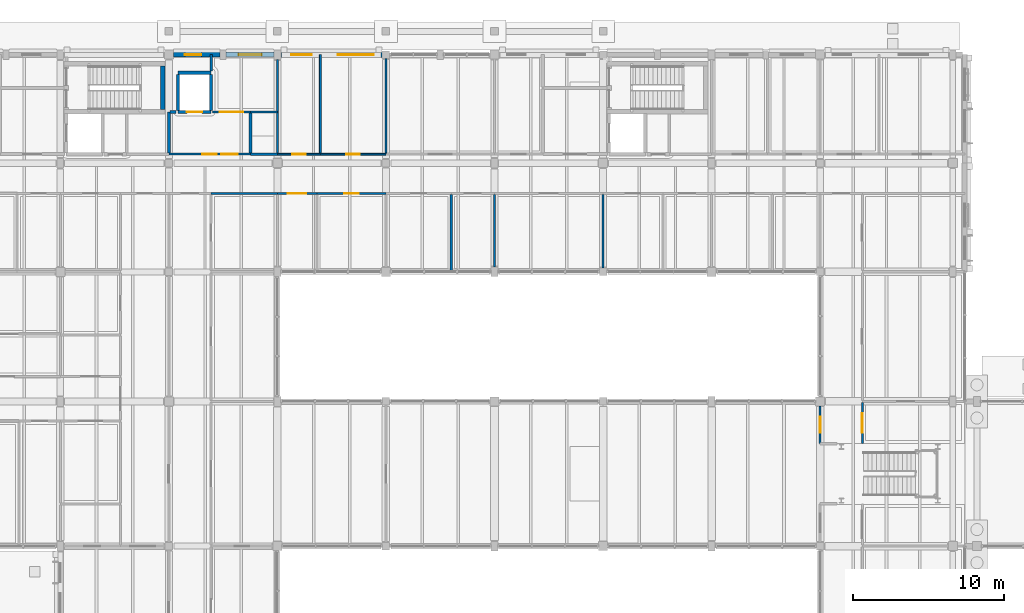
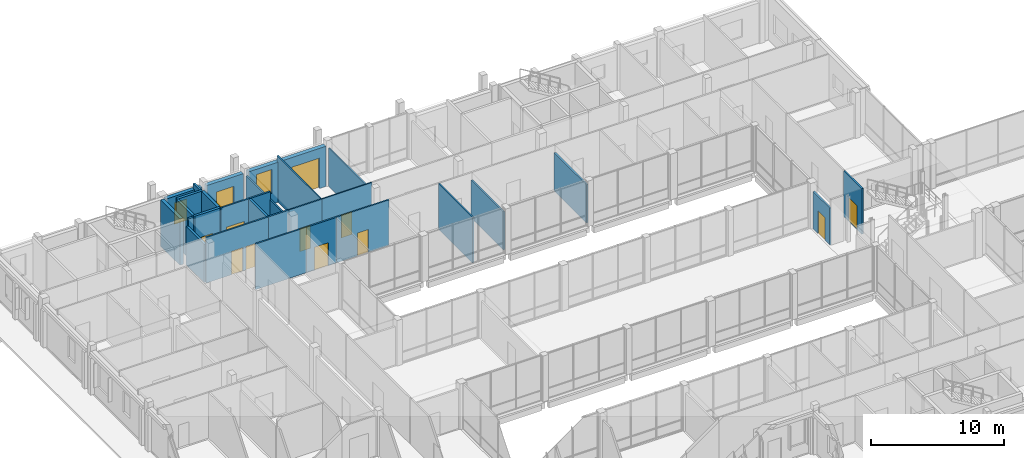
# One storey, part 75 of 104: 30 walls, 11 doors, 3 windows, 14 openings.
"""IFC4 building model written with IfcOpenShell, lengths in metres."""

import ifcopenshell
import ifcopenshell.guid

model = None  # the IFC model being written
_history = None  # IfcOwnerHistory: only IFC2X3 demands one
_inside = {}  # id of a spatial element -> (the spatial element, [elements in it])
_under = {}  # id of a project, library or spatial element -> (it, [spatial elements below it])
_declared = {}  # id of a project -> (the project, [libraries it declares])
_typed = {}  # id of a type object -> (the type object, [elements of that type])
_made_of = {}  # id of a material, layer set ... -> (it, [elements and type objects made of it])


def new_model(schema):
    """Start an empty IFC model of exactly this schema.

    Asked for "IFC4X3", IfcOpenShell would pick the latest addendum, in which some entities
    have other attributes; the version numbers below select the first issue.
    IFC2X3 requires an IfcOwnerHistory on every rooted entity: one is made here for all.
    """
    global model, _history
    if schema == "IFC4X3":
        model = ifcopenshell.file(schema_version=(4, 3, 0, 0))
    else:
        model = ifcopenshell.file(schema=schema)
    _inside.clear()
    _under.clear()
    _declared.clear()
    _typed.clear()
    _made_of.clear()
    _history = None
    if model.schema == "IFC2X3":
        org = make("IfcOrganization", Name="unknown")
        user = make(
            "IfcPersonAndOrganization",
            ThePerson=make("IfcPerson", FamilyName="unknown"),
            TheOrganization=org,
        )
        app = make(
            "IfcApplication",
            ApplicationDeveloper=org,
            Version="unknown",
            ApplicationFullName="unknown",
            ApplicationIdentifier="unknown",
        )
        _history = make(
            "IfcOwnerHistory",
            OwningUser=user,
            OwningApplication=app,
            ChangeAction="ADDED",
            CreationDate=0,
        )
    return model


def make(cls, **values):
    """One entity of the class cls with the attributes given. An attribute that is None is left unset."""
    return model.create_entity(
        cls, **{name: value for name, value in values.items() if value is not None}
    )


def rooted(cls, **values):
    """An entity with a GlobalId (a new one), such as an element, a storey or a relation."""
    return make(cls, GlobalId=ifcopenshell.guid.new(), OwnerHistory=_history, **values)


def si_unit(unit_type, name, prefix=None):
    """IfcSIUnit, for example si_unit("LENGTHUNIT", "METRE", prefix="MILLI")."""
    return make("IfcSIUnit", UnitType=unit_type, Prefix=prefix, Name=name)


def assignment(units):
    """IfcUnitAssignment: the units of a project."""
    return None if units is None else make("IfcUnitAssignment", Units=units)


def point(xyz):
    """IfcCartesianPoint."""
    return None if xyz is None else make("IfcCartesianPoint", Coordinates=xyz)


def direction(xyz):
    """IfcDirection."""
    return None if xyz is None else make("IfcDirection", DirectionRatios=xyz)


def frame(location, z_axis=None, x_axis=None):
    """IfcAxis2Placement3D, a coordinate frame: its origin and axes. An axis left out is left unset."""
    return make(
        "IfcAxis2Placement3D",
        Location=point(location),
        Axis=direction(z_axis),
        RefDirection=direction(x_axis),
    )


def frame_2d(location, x_axis=None):
    """IfcAxis2Placement2D, a coordinate frame in the plane: its origin and x axis."""
    return make(
        "IfcAxis2Placement2D", Location=point(location), RefDirection=direction(x_axis)
    )


def origin():
    """The frame at (0, 0, 0) with its axes left unset."""
    return frame((0.0, 0.0, 0.0))


def place(relative_to, where):
    """IfcLocalPlacement: puts the frame where relative to a parent placement (None: the world)."""
    return make(
        "IfcLocalPlacement", PlacementRelTo=relative_to, RelativePlacement=where
    )


def context(
    kind, dimensions, precision=None, world=None, true_north=None, identifier=None
):
    """IfcGeometricRepresentationContext, for example the 3D "Model" context."""
    return make(
        "IfcGeometricRepresentationContext",
        ContextIdentifier=identifier,
        ContextType=kind,
        CoordinateSpaceDimension=dimensions,
        Precision=precision,
        WorldCoordinateSystem=world,
        TrueNorth=true_north,
    )


def subcontext(parent, identifier, kind, view, scale=None):
    """IfcGeometricRepresentationSubContext, for example "Body" below "Model"."""
    return make(
        "IfcGeometricRepresentationSubContext",
        ContextIdentifier=identifier,
        ContextType=kind,
        ParentContext=parent,
        TargetScale=scale,
        TargetView=view,
    )


def project(units=None, contexts=None):
    """IfcProject with its units and contexts."""
    return rooted(
        "IfcProject",
        Name="project",
        RepresentationContexts=contexts,
        UnitsInContext=assignment(units),
    )


def spatial(cls, under=None, at=None, **own):
    """A site, building, storey or space (cls), placed at a placement, below another one or the project."""
    s = rooted(cls, ObjectPlacement=at, **own)
    if under is not None:
        _under.setdefault(under.id(), (under, []))[1].append(s)
    return s


def profile(cls, at=None, kind="AREA", **sizes):
    """A parametric profile (cls). Its sizes go by their IFC names, for example OverallWidth=200.0."""
    return make(cls, ProfileType=kind, Position=at, **sizes)


def rectangle(**sizes):
    """IfcRectangleProfileDef."""
    return profile("IfcRectangleProfileDef", **sizes)


def extrude(swept, where, along, depth):
    """IfcExtrudedAreaSolid: the profile swept, set in the frame where, extruded along a direction by depth."""
    return make(
        "IfcExtrudedAreaSolid",
        SweptArea=swept,
        Position=where,
        ExtrudedDirection=direction(along),
        Depth=depth,
    )


def shape(context_of_items, identifier, shape_type, items):
    """IfcShapeRepresentation: the items that make up one representation, for example the "Body"."""
    return make(
        "IfcShapeRepresentation",
        ContextOfItems=context_of_items,
        RepresentationIdentifier=identifier,
        RepresentationType=shape_type,
        Items=items,
    )


def material(Name=None, Category=None):
    """IfcMaterial."""
    return make("IfcMaterial", Name=Name, Category=Category)


def layer(
    of_material, thickness, ventilated=None, Name=None, Category=None, Priority=None
):
    """IfcMaterialLayer: one layer of a wall or slab, of a material (None: an air gap)."""
    return make(
        "IfcMaterialLayer",
        Material=of_material,
        LayerThickness=thickness,
        IsVentilated=ventilated,
        Name=Name,
        Category=Category,
        Priority=Priority,
    )


def layer_set(layers, Name=None):
    """IfcMaterialLayerSet."""
    return make("IfcMaterialLayerSet", MaterialLayers=layers, LayerSetName=Name)


def made_of(thing, what):
    """Note that an element or type object is made of a material, layer set ...; save() writes the relation."""
    if what is not None:
        _made_of.setdefault(what.id(), (what, []))[1].append(thing)
    return thing


def type_object(cls, material=None, **own):
    """A type object (cls), such as IfcWallType, which elements share."""
    return made_of(rooted(cls, **own), material)


def element(
    cls,
    number,
    at=None,
    inside=None,
    cuts=None,
    type_object=None,
    material=None,
    context=None,
    identifier="Body",
    shape_type=None,
    held_by="IfcProductDefinitionShape",
    body=None,
    shapes=None,
    **own,
):
    """One element of the class cls, such as IfcWall. Its Tag is "e" and its number.

    at: its placement. inside: the storey or other place that contains it. cuts: it is an
    opening in that element (IfcRelVoidsElement). A single representation is given by context,
    identifier, shape_type and body (its items); several are given by shapes. held_by: the class
    of the entity that holds the representations. save() writes the other relations.
    """
    e = rooted(cls, Tag="e%d" % number, ObjectPlacement=at, **own)
    if body is not None:
        shapes = [shape(context, identifier, shape_type, body)]
    if shapes is not None:
        e.Representation = make(held_by, Representations=shapes)
    if inside is not None:
        _inside.setdefault(inside.id(), (inside, []))[1].append(e)
    if cuts is not None:
        rooted(
            "IfcRelVoidsElement", RelatingBuildingElement=cuts, RelatedOpeningElement=e
        )
    if type_object is not None:
        _typed.setdefault(type_object.id(), (type_object, []))[1].append(e)
    return made_of(e, material)


def fill(opening, filler):
    """IfcRelFillsElement: the door or window that sits in an opening."""
    return rooted(
        "IfcRelFillsElement",
        RelatingOpeningElement=opening,
        RelatedBuildingElement=filler,
    )


def aggregate(whole, parts):
    """IfcRelAggregates: a whole, such as a stair, and the parts it consists of."""
    return rooted("IfcRelAggregates", RelatingObject=whole, RelatedObjects=parts)


def save(model, path):
    """Write the relations noted so far, then the file.

    IfcRelAggregates (storeys below a building ...), IfcRelContainedInSpatialStructure (elements
    in a storey), IfcRelDefinesByType, IfcRelAssociatesMaterial and IfcRelDeclares: one each for
    every whole, place, type object, material and project.
    """
    for whole, parts in _under.values():
        aggregate(whole, parts)
    for where, things in _inside.values():
        rooted(
            "IfcRelContainedInSpatialStructure",
            RelatedElements=things,
            RelatingStructure=where,
        )
    for kind, things in _typed.values():
        rooted("IfcRelDefinesByType", RelatedObjects=things, RelatingType=kind)
    for what, things in _made_of.values():
        rooted("IfcRelAssociatesMaterial", RelatedObjects=things, RelatingMaterial=what)
    for by, libraries in _declared.values():
        rooted("IfcRelDeclares", RelatingContext=by, RelatedDefinitions=libraries)
    model.write(path)


model = new_model("IFC4")

# Units and contexts
model_context = context("Model", 3, precision=1e-05, world=origin(), true_north=direction((0.0, 1.0)))
body_context = subcontext(model_context, "Body", "Model", "MODEL_VIEW")
ifc_project = project(units=[si_unit("LENGTHUNIT", "METRE"), si_unit("AREAUNIT", "SQUARE_METRE"), si_unit("VOLUMEUNIT", "CUBIC_METRE"), si_unit("PLANEANGLEUNIT", "RADIAN"), si_unit("MASSUNIT", "GRAM", prefix="KILO")], contexts=[model_context])

# Site, building, storey
site_placement = place(None, origin())
site = spatial("IfcSite", under=ifc_project, at=site_placement, CompositionType="ELEMENT")
building_placement = place(site_placement, origin())
building = spatial("IfcBuilding", under=site, at=building_placement, Name="Hawrajan Terrace Health Centre", CompositionType="ELEMENT")
storey_placement = place(building_placement, origin())
storey = spatial("IfcBuildingStorey", under=building, at=storey_placement, Name="L00", CompositionType="ELEMENT", Elevation=0.0)

# Wall, openings, doors
ifc_material_1 = material(Name="Gypsum board on acoustic stud framing")
ifc_layer_1 = layer(ifc_material_1, 0.139892578125)
ifc_layer_set_1 = layer_set([ifc_layer_1], Name="Gypsum board on acoustic stud framing")
wall_type_1 = type_object("IfcWallType", Name="ClinicalAcousticWall_140", PredefinedType="PARTITIONING", material=ifc_layer_set_1)
wall_1_placement = place(storey_placement, frame((19.0, 53.199951171875, 0.0), z_axis=(0.0, 0.0, 1.0), x_axis=(1.0, 0.0, 0.0)))
wall_1 = element("IfcWall", 1, at=wall_1_placement, inside=storey, type_object=wall_type_1, Name="Interior wall IW-L00-0257", PredefinedType="PARTITIONING", context=body_context, shape_type="SweptSolid", body=[
    extrude(rectangle(XDim=5.39990234375, YDim=0.139892578125, at=frame_2d((2.699951171875, 0.0))), origin(), (0.0, 0.0, 1.0), 4.179931640625),
])
opening_1_placement = place(wall_1_placement, frame((2.2099609375, 0.0, 0.0)))
opening_1 = element("IfcOpeningElement", 2, at=opening_1_placement, cuts=wall_1, Name="Opening D-L00-107", PredefinedType="OPENING", context=body_context, shape_type="SweptSolid", body=[
    extrude(rectangle(XDim=0.97998046875, YDim=2.14990234375, at=frame_2d((0.489990234375, 1.074951171875))), frame((0.0, 0.079833984375, 0.0), z_axis=(0.0, -1.0, 0.0), x_axis=(1.0, 0.0, 0.0)), (0.0, 0.0, 1.0), 0.159912109375),
])
opening_2_placement = place(wall_1_placement, frame((3.4599609375, 0.0, 0.0)))
opening_2 = element("IfcOpeningElement", 3, at=opening_2_placement, cuts=wall_1, Name="Opening D-L00-108", PredefinedType="OPENING", context=body_context, shape_type="SweptSolid", body=[
    extrude(rectangle(XDim=1.1201171875, YDim=2.14990234375, at=frame_2d((0.56005859375, 1.074951171875))), frame((0.0, 0.079833984375, 0.0), z_axis=(0.0, -1.0, 0.0), x_axis=(1.0, 0.0, 0.0)), (0.0, 0.0, 1.0), 0.159912109375),
])
ifc_material_2 = material(Name="Hardwood acoustic clinical door leaf and frame", Category="wood")
door_type_1 = type_object("IfcDoorType", Name="ConsultDoor_980x2150", OperationType="NOTDEFINED", PredefinedType="DOOR", material=ifc_material_2)
door_1_placement = place(opening_1_placement, origin())
door_1 = element("IfcDoor", 4, at=door_1_placement, inside=storey, type_object=door_type_1, Name="Interior door D-L00-107", OperationType="SINGLE_SWING_LEFT", OverallHeight=2.14990234375, OverallWidth=0.97998046875, PredefinedType="DOOR", context=body_context, shape_type="SweptSolid", body=[
    extrude(rectangle(XDim=0.97998046875, YDim=2.14990234375, at=frame_2d((0.489990234375, 1.074951171875))), frame((0.0, 0.02490234375, 0.0), z_axis=(0.0, -1.0, 0.0), x_axis=(1.0, 0.0, 0.0)), (0.0, 0.0, 1.0), 0.050048828125),
])
fill(opening_1, door_1)
door_type_2 = type_object("IfcDoorType", Name="DentalSurgeryDoor_1120x2150", OperationType="NOTDEFINED", PredefinedType="DOOR", material=ifc_material_2)
door_2_placement = place(opening_2_placement, origin())
door_2 = element("IfcDoor", 5, at=door_2_placement, inside=storey, type_object=door_type_2, Name="Interior door D-L00-108", OperationType="SINGLE_SWING_RIGHT", OverallHeight=2.14990234375, OverallWidth=1.1201171875, PredefinedType="DOOR", context=body_context, shape_type="SweptSolid", body=[
    extrude(rectangle(XDim=1.1201171875, YDim=2.14990234375, at=frame_2d((0.56005859375, 1.074951171875))), frame((0.0, 0.02490234375, 0.0), z_axis=(0.0, -1.0, 0.0), x_axis=(1.0, 0.0, 0.0)), (0.0, 0.0, 1.0), 0.050048828125),
])
fill(opening_2, door_2)

# Wall
wall_2_placement = place(storey_placement, frame((21.800048828125, 50.60009765625, 0.0), z_axis=(0.0, 0.0, 1.0), x_axis=(1.0, 0.0, 0.0)))
element("IfcWall", 6, at=wall_2_placement, inside=storey, type_object=wall_type_1, Name="Interior wall IW-L00-0268", PredefinedType="PARTITIONING", context=body_context, shape_type="SweptSolid", body=[
    extrude(rectangle(XDim=4.39990234375, YDim=0.139892578125, at=frame_2d((2.199951171875, 0.0))), origin(), (0.0, 0.0, 1.0), 4.179931640625),
])

# Wall, opening, door
wall_3_placement = place(storey_placement, frame((21.909912109375, 56.0, 0.0), z_axis=(0.0, 0.0, 1.0), x_axis=(1.0, 0.0, 0.0)))
wall_3 = element("IfcWall", 7, at=wall_3_placement, inside=storey, type_object=wall_type_1, Name="Interior wall IW-L00-0269", PredefinedType="PARTITIONING", context=body_context, shape_type="SweptSolid", body=[
    extrude(rectangle(XDim=2.489990234375, YDim=0.139892578125, at=frame_2d((1.2451171875, 0.0))), origin(), (0.0, 0.0, 1.0), 4.179931640625),
])
opening_3_placement = place(wall_3_placement, frame((0.47509765625, 0.0, 0.0)))
opening_3 = element("IfcOpeningElement", 8, at=opening_3_placement, cuts=wall_3, Name="Opening D-L00-166", PredefinedType="OPENING", context=body_context, shape_type="SweptSolid", body=[
    extrude(rectangle(XDim=1.5400390625, YDim=2.25, at=frame_2d((0.77001953125, 1.125))), frame((0.0, 0.079833984375, 0.0), z_axis=(0.0, -1.0, 0.0), x_axis=(1.0, 0.0, 0.0)), (0.0, 0.0, 1.0), 0.159912109375),
])
door_type_3 = type_object("IfcDoorType", Name="RecoveryBayDoor_1540x2250", OperationType="DOUBLE_DOOR_SINGLE_SWING", PredefinedType="DOOR", material=ifc_material_2)
door_3_placement = place(opening_3_placement, origin())
door_3 = element("IfcDoor", 9, at=door_3_placement, inside=storey, type_object=door_type_3, Name="Interior door D-L00-166", OperationType="DOUBLE_DOOR_SINGLE_SWING", OverallHeight=2.25, OverallWidth=1.5400390625, PredefinedType="DOOR", context=body_context, shape_type="SweptSolid", body=[
    extrude(rectangle(XDim=1.5400390625, YDim=2.25, at=frame_2d((0.77001953125, 1.125))), frame((0.0, 0.02490234375, 0.0), z_axis=(0.0, -1.0, 0.0), x_axis=(1.0, 0.0, 0.0)), (0.0, 0.0, 1.0), 0.050048828125),
])
fill(opening_3, door_3)

wall_4_placement = place(storey_placement, frame((26.199951171875, 50.60009765625, 0.0), z_axis=(0.0, 0.0, 1.0), x_axis=(1.0, 0.0, 0.0)))
wall_4 = element("IfcWall", 10, at=wall_4_placement, inside=storey, type_object=wall_type_1, Name="Interior wall IW-L00-0275", PredefinedType="PARTITIONING", context=body_context, shape_type="SweptSolid", body=[
    extrude(rectangle(XDim=2.62109375, YDim=0.139892578125, at=frame_2d((1.310546875, 0.0))), origin(), (0.0, 0.0, 1.0), 4.179931640625),
])
opening_4_placement = place(wall_4_placement, frame((0.700439453125, 0.0, 0.0)))
opening_4 = element("IfcOpeningElement", 11, at=opening_4_placement, cuts=wall_4, Name="Opening D-L00-167", PredefinedType="OPENING", context=body_context, shape_type="SweptSolid", body=[
    extrude(rectangle(XDim=1.219970703125, YDim=2.10009765625, at=frame_2d((0.60986328125, 1.050048828125))), frame((0.0, 0.079833984375, 0.0), z_axis=(0.0, -1.0, 0.0), x_axis=(1.0, 0.0, 0.0)), (0.0, 0.0, 1.0), 0.159912109375),
])
door_type_4 = type_object("IfcDoorType", Name="ConsultDoor_1220x2100", OperationType="NOTDEFINED", PredefinedType="DOOR", material=ifc_material_2)
door_4_placement = place(opening_4_placement, origin())
door_4 = element("IfcDoor", 12, at=door_4_placement, inside=storey, type_object=door_type_4, Name="Interior door D-L00-167", OperationType="SINGLE_SWING_LEFT", OverallHeight=2.10009765625, OverallWidth=1.219970703125, PredefinedType="DOOR", context=body_context, shape_type="SweptSolid", body=[
    extrude(rectangle(XDim=1.219970703125, YDim=2.10009765625, at=frame_2d((0.60986328125, 1.050048828125))), frame((0.0, 0.02490234375, 0.0), z_axis=(0.0, -1.0, 0.0), x_axis=(1.0, 0.0, 0.0)), (0.0, 0.0, 1.0), 0.050048828125),
])
fill(opening_4, door_4)

wall_5_placement = place(storey_placement, frame((28.821044921875, 50.60009765625, 0.0), z_axis=(0.0, 0.0, 1.0), x_axis=(1.0, 0.0, 0.0)))
wall_5 = element("IfcWall", 13, at=wall_5_placement, inside=storey, type_object=wall_type_1, Name="Interior wall IW-L00-0279", PredefinedType="PARTITIONING", context=body_context, shape_type="SweptSolid", body=[
    extrude(rectangle(XDim=4.578857421875, YDim=0.139892578125, at=frame_2d((2.28955078125, 0.0))), origin(), (0.0, 0.0, 1.0), 4.179931640625),
])
opening_5_placement = place(wall_5_placement, frame((1.814453125, 0.0, 0.0)))
opening_5 = element("IfcOpeningElement", 14, at=opening_5_placement, cuts=wall_5, Name="Opening D-L00-168", PredefinedType="OPENING", context=body_context, shape_type="SweptSolid", body=[
    extrude(rectangle(XDim=0.949951171875, YDim=2.10009765625, at=frame_2d((0.47509765625, 1.050048828125))), frame((0.0, 0.079833984375, 0.0), z_axis=(0.0, -1.0, 0.0), x_axis=(1.0, 0.0, 0.0)), (0.0, 0.0, 1.0), 0.159912109375),
])
door_type_5 = type_object("IfcDoorType", Name="AccessibleWCDoor_950x2100", OperationType="NOTDEFINED", PredefinedType="DOOR", material=ifc_material_2)
door_5_placement = place(opening_5_placement, origin())
door_5 = element("IfcDoor", 15, at=door_5_placement, inside=storey, type_object=door_type_5, Name="Interior door D-L00-168", OperationType="SINGLE_SWING_RIGHT", OverallHeight=2.10009765625, OverallWidth=0.949951171875, PredefinedType="DOOR", context=body_context, shape_type="SweptSolid", body=[
    extrude(rectangle(XDim=0.949951171875, YDim=2.10009765625, at=frame_2d((0.47509765625, 1.050048828125))), frame((0.0, 0.02490234375, 0.0), z_axis=(0.0, -1.0, 0.0), x_axis=(1.0, 0.0, 0.0)), (0.0, 0.0, 1.0), 0.050048828125),
])
fill(opening_5, door_5)

# Walls
wall_6_placement = place(storey_placement, frame((37.73388671875, 45.39990234375, 0.0), z_axis=(0.0, 0.0, 1.0), x_axis=(0.0, 1.0, 0.0)))
element("IfcWall", 16, at=wall_6_placement, inside=storey, type_object=wall_type_1, Name="Interior wall IW-L00-0295", PredefinedType="PARTITIONING", context=body_context, shape_type="SweptSolid", body=[
    extrude(rectangle(XDim=5.130126953125, YDim=0.139892578125, at=frame_2d((2.56494140625, 0.0))), origin(), (0.0, 0.0, 1.0), 4.179931640625),
])
wall_7_placement = place(storey_placement, frame((40.60009765625, 45.72509765625, 0.0), z_axis=(0.0, 0.0, 1.0), x_axis=(0.0, 1.0, 0.0)))
element("IfcWall", 17, at=wall_7_placement, inside=storey, type_object=wall_type_1, Name="Interior wall IW-L00-0299", PredefinedType="PARTITIONING", context=body_context, shape_type="SweptSolid", body=[
    extrude(rectangle(XDim=4.804931640625, YDim=0.139892578125, at=frame_2d((2.40234375, 0.0))), origin(), (0.0, 0.0, 1.0), 3.5),
])
wall_8_placement = place(storey_placement, frame((47.800048828125, 45.64990234375, 0.0), z_axis=(0.0, 0.0, 1.0), x_axis=(0.0, 1.0, 0.0)))
element("IfcWall", 18, at=wall_8_placement, inside=storey, type_object=wall_type_1, Name="Interior wall IW-L00-0310", PredefinedType="PARTITIONING", context=body_context, shape_type="SweptSolid", body=[
    extrude(rectangle(XDim=4.880126953125, YDim=0.139892578125, at=frame_2d((2.43994140625, 0.0))), origin(), (0.0, 0.0, 1.0), 3.5),
])

# Wall, opening, door
wall_9_placement = place(storey_placement, frame((62.199951171875, 34.0, 0.0), z_axis=(0.0, 0.0, 1.0), x_axis=(0.0, 1.0, 0.0)))
wall_9 = element("IfcWall", 19, at=wall_9_placement, inside=storey, type_object=wall_type_1, Name="Interior wall IW-L00-0337", PredefinedType="PARTITIONING", context=body_context, shape_type="SweptSolid", body=[
    extrude(rectangle(XDim=2.5, YDim=0.139892578125, at=frame_2d((1.25, 0.0))), origin(), (0.0, 0.0, 1.0), 3.39990234375),
])
opening_6_placement = place(wall_9_placement, frame((0.72998046875, 0.0, 0.0)))
opening_6 = element("IfcOpeningElement", 20, at=opening_6_placement, cuts=wall_9, Name="Opening D-L00-131", PredefinedType="OPENING", context=body_context, shape_type="SweptSolid", body=[
    extrude(rectangle(XDim=1.0400390625, YDim=2.10009765625, at=frame_2d((0.52001953125, 1.050048828125))), frame((0.0, 0.079833984375, 0.0), z_axis=(0.0, -1.0, 0.0), x_axis=(1.0, 0.0, 0.0)), (0.0, 0.0, 1.0), 0.159912109375),
])
door_type_6 = type_object("IfcDoorType", Name="ConsultDoor_1040x2100", OperationType="NOTDEFINED", PredefinedType="DOOR", material=ifc_material_2)
door_6_placement = place(opening_6_placement, origin())
door_6 = element("IfcDoor", 21, at=door_6_placement, inside=storey, type_object=door_type_6, Name="Interior door D-L00-131", OperationType="SINGLE_SWING_LEFT", OverallHeight=2.10009765625, OverallWidth=1.0400390625, PredefinedType="DOOR", context=body_context, shape_type="SweptSolid", body=[
    extrude(rectangle(XDim=1.0400390625, YDim=2.10009765625, at=frame_2d((0.52001953125, 1.050048828125))), frame((0.0, 0.02490234375, 0.0), z_axis=(0.0, -1.0, 0.0), x_axis=(1.0, 0.0, 0.0)), (0.0, 0.0, 1.0), 0.050048828125),
])
fill(opening_6, door_6)

wall_10_placement = place(storey_placement, frame((65.0, 34.0, 0.0), z_axis=(0.0, 0.0, 1.0), x_axis=(0.0, 1.0, 0.0)))
wall_10 = element("IfcWall", 22, at=wall_10_placement, inside=storey, type_object=wall_type_1, Name="Interior wall IW-L00-0350", PredefinedType="PARTITIONING", context=body_context, shape_type="SweptSolid", body=[
    extrude(rectangle(XDim=2.72998046875, YDim=0.139892578125, at=frame_2d((1.364990234375, 0.0))), origin(), (0.0, 0.0, 1.0), 4.179931640625),
])
opening_7_placement = place(wall_10_placement, frame((0.72509765625, 0.0, 0.0)))
opening_7 = element("IfcOpeningElement", 23, at=opening_7_placement, cuts=wall_10, Name="Opening D-L00-132", PredefinedType="OPENING", context=body_context, shape_type="SweptSolid", body=[
    extrude(rectangle(XDim=1.280029296875, YDim=2.199951171875, at=frame_2d((0.64013671875, 1.10009765625))), frame((0.0, 0.079833984375, 0.0), z_axis=(0.0, -1.0, 0.0), x_axis=(1.0, 0.0, 0.0)), (0.0, 0.0, 1.0), 0.159912109375),
])
door_type_7 = type_object("IfcDoorType", Name="ExamSuiteDoor_1280x2200", OperationType="NOTDEFINED", PredefinedType="DOOR", material=ifc_material_2)
door_7_placement = place(opening_7_placement, origin())
door_7 = element("IfcDoor", 24, at=door_7_placement, inside=storey, type_object=door_type_7, Name="Interior door D-L00-132", OperationType="SINGLE_SWING_RIGHT", OverallHeight=2.199951171875, OverallWidth=1.280029296875, PredefinedType="DOOR", context=body_context, shape_type="SweptSolid", body=[
    extrude(rectangle(XDim=1.280029296875, YDim=2.199951171875, at=frame_2d((0.64013671875, 1.10009765625))), frame((0.0, 0.02490234375, 0.0), z_axis=(0.0, -1.0, 0.0), x_axis=(1.0, 0.0, 0.0)), (0.0, 0.0, 1.0), 0.050048828125),
])
fill(opening_7, door_7)

# Wall, opening, window
ifc_material_3 = material(Name="Precast concrete C40/50", Category="concrete")
ifc_layer_2 = layer(ifc_material_3, 0.340087890625)
ifc_layer_set_2 = layer_set([ifc_layer_2], Name="Precast concrete C40/50")
wall_type_2 = type_object("IfcWallType", Name="CoralAshlarWall_340", PredefinedType="SOLIDWALL", material=ifc_layer_set_2)
wall_11_placement = place(storey_placement, frame((19.300048828125, 59.800048828125, 0.0), z_axis=(0.0, 0.0, 1.0), x_axis=(1.0, 0.0, 0.0)))
wall_11 = element("IfcWall", 25, at=wall_11_placement, inside=storey, type_object=wall_type_2, Name="Exterior wall EW-L00-H02-07-1", PredefinedType="SOLIDWALL", context=body_context, shape_type="SweptSolid", body=[
    extrude(rectangle(XDim=3.099853515625, YDim=0.340087890625, at=frame_2d((1.5498046875, 0.0))), origin(), (0.0, 0.0, 1.0), 3.679931640625),
])
opening_8_placement = place(wall_11_placement, frame((0.77001953125, 0.0, 1.0)))
opening_8 = element("IfcOpeningElement", 26, at=opening_8_placement, cuts=wall_11, Name="Opening W-L00-017", PredefinedType="OPENING", context=body_context, shape_type="SweptSolid", body=[
    extrude(rectangle(XDim=1.080078125, YDim=1.949951171875, at=frame_2d((0.5400390625, 0.97509765625))), frame((0.0, 0.179931640625, 0.0), z_axis=(0.0, -1.0, 0.0), x_axis=(1.0, 0.0, 0.0)), (0.0, 0.0, 1.0), 0.360107421875),
])
ifc_material_4 = material(Name="Anodized bronze frame with double low-E glazing", Category="glass")
window_type_1 = type_object("IfcWindowType", Name="FacadeWindow_1080x1950", PartitioningType="SINGLE_PANEL", PredefinedType="WINDOW", material=ifc_material_4)
window_1_placement = place(opening_8_placement, origin())
window_1 = element("IfcWindow", 27, at=window_1_placement, inside=storey, type_object=window_type_1, Name="Window W-L00-017", OverallHeight=1.949951171875, OverallWidth=1.080078125, PartitioningType="SINGLE_PANEL", PredefinedType="WINDOW", context=body_context, shape_type="SweptSolid", body=[
    extrude(rectangle(XDim=1.080078125, YDim=1.949951171875, at=frame_2d((0.5400390625, 0.97509765625))), frame((0.0, 0.030029296875, 0.0), z_axis=(0.0, -1.0, 0.0), x_axis=(1.0, 0.0, 0.0)), (0.0, 0.0, 1.0), 0.06005859375),
])
fill(opening_8, window_1)

wall_12_placement = place(storey_placement, frame((22.800048828125, 59.800048828125, 0.0), z_axis=(0.0, 0.0, 1.0), x_axis=(1.0, 0.0, 0.0)))
wall_12 = element("IfcWall", 28, at=wall_12_placement, inside=storey, type_object=wall_type_2, Name="Exterior wall EW-L00-H02-07-2", PredefinedType="SOLIDWALL", context=body_context, shape_type="SweptSolid", body=[
    extrude(rectangle(XDim=3.175048828125, YDim=0.340087890625, at=frame_2d((1.58740234375, 0.0))), origin(), (0.0, 0.0, 1.0), 3.679931640625),
])
opening_9_placement = place(wall_12_placement, frame((0.827392578125, 0.0, 1.0)))
opening_9 = element("IfcOpeningElement", 29, at=opening_9_placement, cuts=wall_12, Name="Opening W-L00-018", PredefinedType="OPENING", context=body_context, shape_type="SweptSolid", body=[
    extrude(rectangle(XDim=1.52001953125, YDim=1.800048828125, at=frame_2d((0.760009765625, 0.89990234375))), frame((0.0, 0.179931640625, 0.0), z_axis=(0.0, -1.0, 0.0), x_axis=(1.0, 0.0, 0.0)), (0.0, 0.0, 1.0), 0.360107421875),
])
window_type_2 = type_object("IfcWindowType", Name="FacadeWindow_1520x1800", PartitioningType="DOUBLE_PANEL_VERTICAL", PredefinedType="WINDOW", material=ifc_material_4)
window_2_placement = place(opening_9_placement, origin())
window_2 = element("IfcWindow", 30, at=window_2_placement, inside=storey, type_object=window_type_2, Name="Window W-L00-018", OverallHeight=1.800048828125, OverallWidth=1.52001953125, PartitioningType="DOUBLE_PANEL_VERTICAL", PredefinedType="WINDOW", context=body_context, shape_type="SweptSolid", body=[
    extrude(rectangle(XDim=1.52001953125, YDim=1.800048828125, at=frame_2d((0.760009765625, 0.89990234375))), frame((0.0, 0.030029296875, 0.0), z_axis=(0.0, -1.0, 0.0), x_axis=(1.0, 0.0, 0.0)), (0.0, 0.0, 1.0), 0.06005859375),
])
fill(opening_9, window_2)

# Wall, openings, window, door
ifc_layer_3 = layer(ifc_material_3, 0.360107421875)
ifc_layer_set_3 = layer_set([ifc_layer_3], Name="Precast concrete C40/50")
wall_type_3 = type_object("IfcWallType", Name="CoralPodiumWall_360", PredefinedType="SOLIDWALL", material=ifc_layer_set_3)
wall_13_placement = place(storey_placement, frame((26.425048828125, 59.800048828125, 0.0), z_axis=(0.0, 0.0, 1.0), x_axis=(1.0, 0.0, 0.0)))
wall_13 = element("IfcWall", 31, at=wall_13_placement, inside=storey, type_object=wall_type_3, Name="Exterior wall EW-L00-H03-07-1", PredefinedType="SOLIDWALL", context=body_context, shape_type="SweptSolid", body=[
    extrude(rectangle(XDim=6.724853515625, YDim=0.360107421875, at=frame_2d((3.3623046875, 0.0))), origin(), (0.0, 0.0, 1.0), 3.679931640625),
])
opening_10_placement = place(wall_13_placement, frame((3.77490234375, 0.0, 0.0)))
opening_10 = element("IfcOpeningElement", 32, at=opening_10_placement, cuts=wall_13, Name="Opening D-L00-E005", PredefinedType="OPENING", context=body_context, shape_type="SweptSolid", body=[
    extrude(rectangle(XDim=2.39990234375, YDim=2.800048828125, at=frame_2d((1.199951171875, 1.39990234375))), frame((0.0, 0.18994140625, 0.0), z_axis=(0.0, -1.0, 0.0), x_axis=(1.0, 0.0, 0.0)), (0.0, 0.0, 1.0), 0.380126953125),
])
opening_11_placement = place(wall_13_placement, frame((0.697509765625, 0.0, 1.0)))
opening_11 = element("IfcOpeningElement", 33, at=opening_11_placement, cuts=wall_13, Name="Opening W-L00-019", PredefinedType="OPENING", context=body_context, shape_type="SweptSolid", body=[
    extrude(rectangle(XDim=1.35009765625, YDim=2.199951171875, at=frame_2d((0.675048828125, 1.10009765625))), frame((0.0, 0.18994140625, 0.0), z_axis=(0.0, -1.0, 0.0), x_axis=(1.0, 0.0, 0.0)), (0.0, 0.0, 1.0), 0.380126953125),
])
window_type_3 = type_object("IfcWindowType", Name="FacadeWindow_1350x2200", PartitioningType="SINGLE_PANEL", PredefinedType="WINDOW", material=ifc_material_4)
window_3_placement = place(opening_11_placement, origin())
window_3 = element("IfcWindow", 34, at=window_3_placement, inside=storey, type_object=window_type_3, Name="Window W-L00-019", OverallHeight=2.199951171875, OverallWidth=1.35009765625, PartitioningType="SINGLE_PANEL", PredefinedType="WINDOW", context=body_context, shape_type="SweptSolid", body=[
    extrude(rectangle(XDim=1.35009765625, YDim=2.199951171875, at=frame_2d((0.675048828125, 1.10009765625))), frame((0.0, 0.030029296875, 0.0), z_axis=(0.0, -1.0, 0.0), x_axis=(1.0, 0.0, 0.0)), (0.0, 0.0, 1.0), 0.06005859375),
])
fill(opening_11, window_3)
ifc_material_5 = material(Name="Anodized bronze thermally broken fire-rated glazed door")
door_type_8 = type_object("IfcDoorType", Name="MainEntranceDoor_2400x2800", OperationType="DOUBLE_DOOR_SINGLE_SWING", PredefinedType="DOOR", material=ifc_material_5)
door_8_placement = place(opening_10_placement, origin())
door_8 = element("IfcDoor", 35, at=door_8_placement, inside=storey, type_object=door_type_8, Name="North Colonnade Main Entrance Door D-L00-E005", OperationType="DOUBLE_DOOR_SINGLE_SWING", OverallHeight=2.800048828125, OverallWidth=2.39990234375, PredefinedType="DOOR", context=body_context, shape_type="SweptSolid", body=[
    extrude(rectangle(XDim=2.39990234375, YDim=2.800048828125, at=frame_2d((1.199951171875, 1.39990234375))), frame((0.0, 0.02490234375, 0.0), z_axis=(0.0, -1.0, 0.0), x_axis=(1.0, 0.0, 0.0)), (0.0, 0.0, 1.0), 0.050048828125),
])
fill(opening_10, door_8)

# Walls
ifc_material_6 = material(Name="Concrete C40/50", Category="concrete")
ifc_layer_4 = layer(ifc_material_6, 0.300048828125)
ifc_layer_set_4 = layer_set([ifc_layer_4], Name="Concrete C40/50")
wall_type_4 = type_object("IfcWallType", Name="CoreShearWall_RC300", PredefinedType="SHEAR", material=ifc_layer_set_4)
wall_14_placement = place(storey_placement, frame((18.60009765625, 56.14990234375, 0.0), z_axis=(0.0, 0.0, 1.0), x_axis=(0.0, 1.0, 0.0)))
element("IfcWall", 36, at=wall_14_placement, inside=storey, type_object=wall_type_4, Name="Core shear wall SW-C1-L00-E", PredefinedType="SHEAR", context=body_context, shape_type="SweptSolid", body=[
    extrude(rectangle(XDim=2.900146484375, YDim=0.300048828125, at=frame_2d((1.4501953125, 0.0))), origin(), (0.0, 0.0, 1.0), 4.25),
])
ifc_layer_5 = layer(ifc_material_1, 0.159912109375)
ifc_layer_set_5 = layer_set([ifc_layer_5], Name="Gypsum board on acoustic stud framing")
wall_type_5 = type_object("IfcWallType", Name="CorridorFireWall_160", PredefinedType="PARTITIONING", material=ifc_layer_set_5)
for number, where, z_axis, x_axis, name in (
    (37, (26.199951171875, 53.199951171875, 0.0), (0.0, 0.0, 1.0), (-1.0, 0.0, 0.0), "Interior wall IW-L00-0480"),
    (38, (24.39990234375, 56.0, 0.0), (0.0, 0.0, 1.0), (1.0, 0.0, 0.0), "Interior wall IW-L00-0497"),
):
    element("IfcWall", number, at=place(storey_placement, frame(where, z_axis=z_axis, x_axis=x_axis)), inside=storey, type_object=wall_type_5, Name=name, PredefinedType="PARTITIONING", context=body_context, shape_type="SweptSolid", body=[
        extrude(rectangle(XDim=1.800048828125, YDim=0.159912109375, at=frame_2d((0.89990234375, 0.0))), origin(), (0.0, 0.0, 1.0), 4.179931640625),
    ])
wall_15_placement = place(storey_placement, frame((21.800048828125, 58.7099609375, 0.0), z_axis=(0.0, 0.0, 1.0), x_axis=(0.0, 1.0, 0.0)))
element("IfcWall", 39, at=wall_15_placement, inside=storey, type_object=wall_type_5, Name="Interior wall IW-L00-0498", PredefinedType="PARTITIONING", context=body_context, shape_type="SweptSolid", body=[
    extrude(rectangle(XDim=1.090087890625, YDim=0.159912109375, at=frame_2d((0.544921875, 0.0))), origin(), (0.0, 0.0, 1.0), 4.179931640625),
])
ifc_material_7 = material(Name="Cross-laminated timber CLT C24", Category="wood")
ifc_layer_6 = layer(ifc_material_7, 0.199951171875)
ifc_layer_set_6 = layer_set([ifc_layer_6], Name="Cross-laminated timber CLT C24")
wall_type_6 = type_object("IfcWallType", Name="FireCompartmentWall_200", PredefinedType="PARTITIONING", material=ifc_layer_set_6)
wall_16_placement = place(storey_placement, frame((24.39990234375, 53.27001953125, 0.0), z_axis=(0.0, 0.0, 1.0), x_axis=(0.0, 1.0, 0.0)))
element("IfcWall", 40, at=wall_16_placement, inside=storey, type_object=wall_type_6, Name="Interior wall IW-L00-0476", PredefinedType="PARTITIONING", context=body_context, shape_type="SweptSolid", body=[
    extrude(rectangle(XDim=2.659912109375, YDim=0.199951171875, at=frame_2d((1.330078125, 0.0))), origin(), (0.0, 0.0, 1.0), 4.179931640625),
])
wall_17_placement = place(storey_placement, frame((19.489990234375, 56.0, 0.0), z_axis=(0.0, 0.0, 1.0), x_axis=(-1.0, 0.0, 0.0)))
element("IfcWall", 41, at=wall_17_placement, inside=storey, type_object=wall_type_6, Name="Interior wall IW-L00-0477", PredefinedType="PARTITIONING", context=body_context, shape_type="SweptSolid", body=[
    extrude(rectangle(XDim=0.409912109375, YDim=0.199951171875, at=frame_2d((0.205078125, 0.0))), origin(), (0.0, 0.0, 1.0), 4.179931640625),
])
wall_18_placement = place(storey_placement, frame((19.0, 53.27001953125, 0.0), z_axis=(0.0, 0.0, 1.0), x_axis=(0.0, 1.0, 0.0)))
element("IfcWall", 42, at=wall_18_placement, inside=storey, type_object=wall_type_6, Name="Interior wall IW-L00-0478", PredefinedType="PARTITIONING", context=body_context, shape_type="SweptSolid", body=[
    extrude(rectangle(XDim=2.72998046875, YDim=0.199951171875, at=frame_2d((1.364990234375, 0.0))), origin(), (0.0, 0.0, 1.0), 3.5),
])

# Wall, opening, door
ifc_layer_7 = layer(ifc_material_6, 0.219970703125)
ifc_layer_set_7 = layer_set([ifc_layer_7], Name="Concrete C40/50")
wall_type_7 = type_object("IfcWallType", Name="ShaftWall_RC220", PredefinedType="SOLIDWALL", material=ifc_layer_set_7)
wall_19_placement = place(storey_placement, frame((19.60009765625, 56.0, 0.0), z_axis=(0.0, 0.0, 1.0), x_axis=(1.0, 0.0, 0.0)))
wall_19 = element("IfcWall", 43, at=wall_19_placement, inside=storey, type_object=wall_type_7, Name="Lift shaft wall LW-LC-02-L00-S", PredefinedType="SOLIDWALL", context=body_context, shape_type="SweptSolid", body=[
    extrude(rectangle(XDim=2.199951171875, YDim=0.219970703125, at=frame_2d((1.10009765625, 0.0))), origin(), (0.0, 0.0, 1.0), 4.25),
])
opening_12_placement = place(wall_19_placement, frame((0.60009765625, 0.0, 0.0)))
opening_12 = element("IfcOpeningElement", 44, at=opening_12_placement, cuts=wall_19, Name="Opening LD-L00-LC-02", PredefinedType="OPENING", context=body_context, shape_type="SweptSolid", body=[
    extrude(rectangle(XDim=1.0, YDim=2.14990234375, at=frame_2d((0.5, 1.074951171875))), frame((0.0, 0.119873046875, 0.0), z_axis=(0.0, -1.0, 0.0), x_axis=(1.0, 0.0, 0.0)), (0.0, 0.0, 1.0), 0.239990234375),
])
ifc_material_8 = material(Name="Brushed bronze stainless-steel sliding lift landing door", Category="steel")
door_type_9 = type_object("IfcDoorType", Name="LiftLandingDoor_1000x2150", OperationType="SLIDING_TO_LEFT", PredefinedType="DOOR", material=ifc_material_8)
door_9_placement = place(opening_12_placement, origin())
door_9 = element("IfcDoor", 45, at=door_9_placement, inside=storey, type_object=door_type_9, Name="Lift landing door LD-L00-LC-02", OperationType="SLIDING_TO_LEFT", OverallHeight=2.14990234375, OverallWidth=1.0, PredefinedType="DOOR", context=body_context, shape_type="SweptSolid", body=[
    extrude(rectangle(XDim=1.0, YDim=2.14990234375, at=frame_2d((0.5, 1.074951171875))), frame((0.0, 0.02490234375, 0.0), z_axis=(0.0, -1.0, 0.0), x_axis=(1.0, 0.0, 0.0)), (0.0, 0.0, 1.0), 0.050048828125),
])
fill(opening_12, door_9)

# Walls
wall_20_placement = place(storey_placement, frame((19.60009765625, 58.60009765625, 0.0), z_axis=(0.0, 0.0, 1.0), x_axis=(1.0, 0.0, 0.0)))
element("IfcWall", 46, at=wall_20_placement, inside=storey, type_object=wall_type_7, Name="Lift shaft wall LW-LC-02-L00-N", PredefinedType="SOLIDWALL", context=body_context, shape_type="SweptSolid", body=[
    extrude(rectangle(XDim=2.199951171875, YDim=0.219970703125, at=frame_2d((1.10009765625, 0.0))), origin(), (0.0, 0.0, 1.0), 4.25),
])
for number, where, z_axis, x_axis, name in (
    (47, (19.60009765625, 56.110107421875, 0.0), (0.0, 0.0, 1.0), (0.0, 1.0, 0.0), "Lift shaft wall LW-LC-02-L00-W"),
    (48, (21.800048828125, 56.110107421875, 0.0), (0.0, 0.0, 1.0), (0.0, 1.0, 0.0), "Lift shaft wall LW-LC-02-L00-E"),
):
    element("IfcWall", number, at=place(storey_placement, frame(where, z_axis=z_axis, x_axis=x_axis)), inside=storey, type_object=wall_type_7, Name=name, PredefinedType="SOLIDWALL", context=body_context, shape_type="SweptSolid", body=[
        extrude(rectangle(XDim=2.3798828125, YDim=0.219970703125, at=frame_2d((1.18994140625, 0.0))), origin(), (0.0, 0.0, 1.0), 4.25),
    ])

# Wall, opening, door
ifc_material_9 = material(Name="Moisture-resistant board on stud framing")
ifc_layer_8 = layer(ifc_material_9, 0.1201171875)
ifc_layer_set_8 = layer_set([ifc_layer_8], Name="Moisture-resistant board on stud framing")
wall_type_8 = type_object("IfcWallType", Name="WetRoomPartition_120", PredefinedType="PLUMBINGWALL", material=ifc_layer_set_8)
wall_21_placement = place(storey_placement, frame((26.199951171875, 53.199951171875, 0.0), z_axis=(0.0, 0.0, 1.0), x_axis=(1.0, 0.0, 0.0)))
wall_21 = element("IfcWall", 49, at=wall_21_placement, inside=storey, type_object=wall_type_8, Name="Interior wall IW-L00-0276", PredefinedType="PLUMBINGWALL", context=body_context, shape_type="SweptSolid", body=[
    extrude(rectangle(XDim=2.85009765625, YDim=0.1201171875, at=frame_2d((1.425048828125, 0.0))), origin(), (0.0, 0.0, 1.0), 4.179931640625),
])
opening_13_placement = place(wall_21_placement, frame((0.97509765625, 0.0, 0.0)))
opening_13 = element("IfcOpeningElement", 50, at=opening_13_placement, cuts=wall_21, Name="Opening D-L00-144", PredefinedType="OPENING", context=body_context, shape_type="SweptSolid", body=[
    extrude(rectangle(XDim=0.89990234375, YDim=2.10009765625, at=frame_2d((0.449951171875, 1.050048828125))), frame((0.0, 0.070068359375, 0.0), z_axis=(0.0, -1.0, 0.0), x_axis=(1.0, 0.0, 0.0)), (0.0, 0.0, 1.0), 0.14013671875),
])
door_type_10 = type_object("IfcDoorType", Name="PatientWCDoor_900x2100", OperationType="NOTDEFINED", PredefinedType="DOOR", material=ifc_material_2)
door_10_placement = place(opening_13_placement, origin())
door_10 = element("IfcDoor", 51, at=door_10_placement, inside=storey, type_object=door_type_10, Name="Interior door D-L00-144", OperationType="SINGLE_SWING_RIGHT", OverallHeight=2.10009765625, OverallWidth=0.89990234375, PredefinedType="DOOR", context=body_context, shape_type="SweptSolid", body=[
    extrude(rectangle(XDim=0.89990234375, YDim=2.10009765625, at=frame_2d((0.449951171875, 1.050048828125))), frame((0.0, 0.02490234375, 0.0), z_axis=(0.0, -1.0, 0.0), x_axis=(1.0, 0.0, 0.0)), (0.0, 0.0, 1.0), 0.050048828125),
])
fill(opening_13, door_10)

# Walls
wall_22_placement = place(storey_placement, frame((26.199951171875, 56.0, 0.0), z_axis=(0.0, 0.0, 1.0), x_axis=(0.0, 1.0, 0.0)))
element("IfcWall", 52, at=wall_22_placement, inside=storey, type_object=wall_type_8, Name="Interior wall IW-L00-0277", PredefinedType="PLUMBINGWALL", context=body_context, shape_type="SweptSolid", body=[
    extrude(rectangle(XDim=3.47509765625, YDim=0.1201171875, at=frame_2d((1.737548828125, 0.0))), origin(), (0.0, 0.0, 1.0), 3.5),
])
wall_23_placement = place(storey_placement, frame((29.050048828125, 53.27001953125, 0.0), z_axis=(0.0, 0.0, 1.0), x_axis=(0.0, 1.0, 0.0)))
element("IfcWall", 53, at=wall_23_placement, inside=storey, type_object=wall_type_8, Name="Interior wall IW-L00-0280", PredefinedType="PLUMBINGWALL", context=body_context, shape_type="SweptSolid", body=[
    extrude(rectangle(XDim=6.530029296875, YDim=0.1201171875, at=frame_2d((3.26513671875, 0.0))), origin(), (0.0, 0.0, 1.0), 4.179931640625),
])

# Wall, opening, door
wall_24_placement = place(storey_placement, frame((29.050048828125, 53.199951171875, 0.0), z_axis=(0.0, 0.0, 1.0), x_axis=(1.0, 0.0, 0.0)))
wall_24 = element("IfcWall", 54, at=wall_24_placement, inside=storey, type_object=wall_type_8, Name="Interior wall IW-L00-0281", PredefinedType="PLUMBINGWALL", context=body_context, shape_type="SweptSolid", body=[
    extrude(rectangle(XDim=4.349853515625, YDim=0.1201171875, at=frame_2d((2.1748046875, 0.0))), origin(), (0.0, 0.0, 1.0), 4.179931640625),
])
opening_14_placement = place(wall_24_placement, frame((1.72509765625, 0.0, 0.0)))
opening_14 = element("IfcOpeningElement", 55, at=opening_14_placement, cuts=wall_24, Name="Opening D-L00-145", PredefinedType="OPENING", context=body_context, shape_type="SweptSolid", body=[
    extrude(rectangle(XDim=0.89990234375, YDim=2.10009765625, at=frame_2d((0.449951171875, 1.050048828125))), frame((0.0, 0.070068359375, 0.0), z_axis=(0.0, -1.0, 0.0), x_axis=(1.0, 0.0, 0.0)), (0.0, 0.0, 1.0), 0.14013671875),
])
door_11_placement = place(opening_14_placement, origin())
door_11 = element("IfcDoor", 56, at=door_11_placement, inside=storey, type_object=door_type_10, Name="Interior door D-L00-145", OperationType="SINGLE_SWING_LEFT", OverallHeight=2.10009765625, OverallWidth=0.89990234375, PredefinedType="DOOR", context=body_context, shape_type="SweptSolid", body=[
    extrude(rectangle(XDim=0.89990234375, YDim=2.10009765625, at=frame_2d((0.449951171875, 1.050048828125))), frame((0.0, 0.02490234375, 0.0), z_axis=(0.0, -1.0, 0.0), x_axis=(1.0, 0.0, 0.0)), (0.0, 0.0, 1.0), 0.050048828125),
])
fill(opening_14, door_11)

# Walls
wall_25_placement = place(storey_placement, frame((33.39990234375, 53.27001953125, 0.0), z_axis=(0.0, 0.0, 1.0), x_axis=(0.0, 1.0, 0.0)))
element("IfcWall", 57, at=wall_25_placement, inside=storey, type_object=wall_type_8, Name="Interior wall IW-L00-0291", PredefinedType="PLUMBINGWALL", context=body_context, shape_type="SweptSolid", body=[
    extrude(rectangle(XDim=6.280029296875, YDim=0.1201171875, at=frame_2d((3.14013671875, 0.0))), origin(), (0.0, 0.0, 1.0), 3.5),
])
wall_26_placement = place(storey_placement, frame((26.199951171875, 53.27001953125, 0.0), z_axis=(0.0, 0.0, 1.0), x_axis=(0.0, 1.0, 0.0)))
element("IfcWall", 58, at=wall_26_placement, inside=storey, type_object=wall_type_8, Name="Interior wall IW-L00-0493", PredefinedType="PLUMBINGWALL", context=body_context, shape_type="SweptSolid", body=[
    extrude(rectangle(XDim=2.72998046875, YDim=0.1201171875, at=frame_2d((1.364990234375, 0.0))), origin(), (0.0, 0.0, 1.0), 3.5),
])

save(model, "model.ifc")
